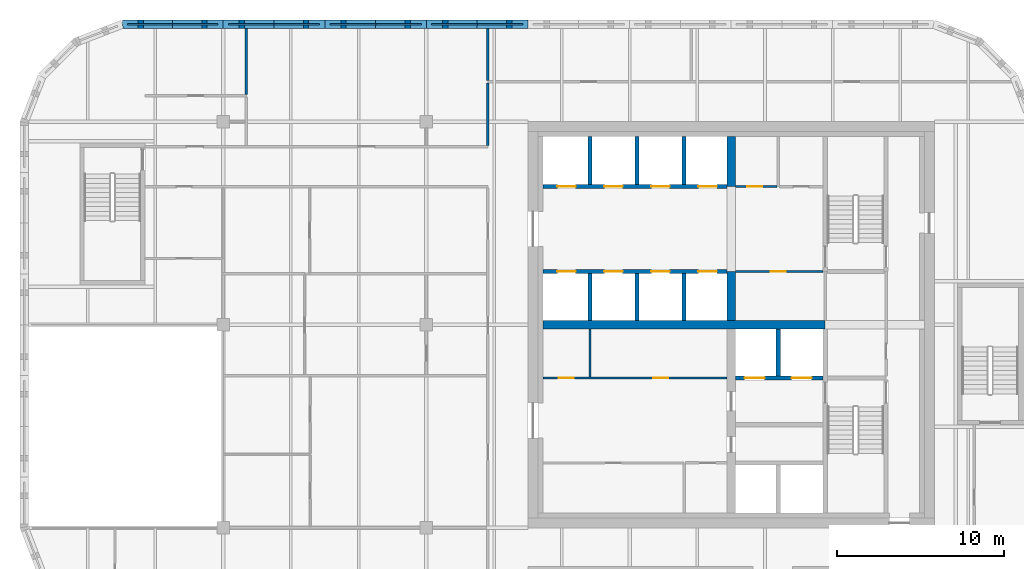
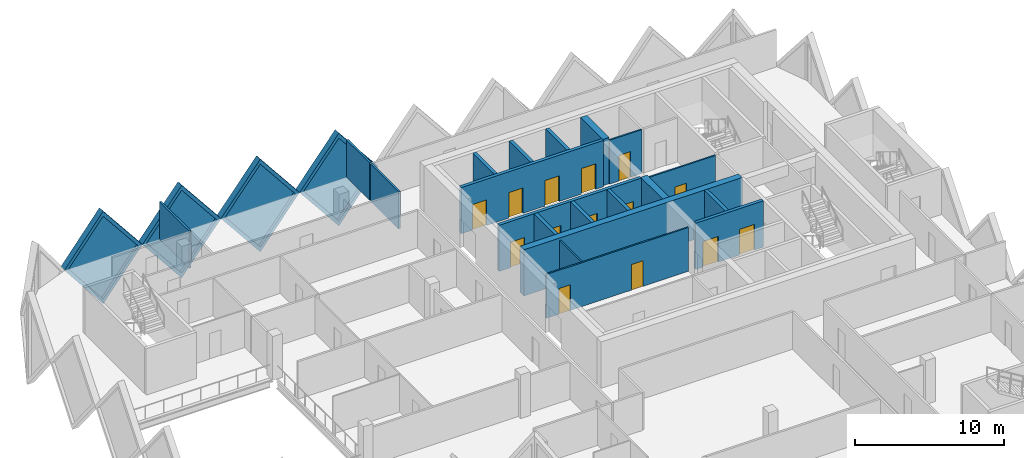
# One storey, part 8 of 12: 24 walls, 14 doors, 4 plates, 18 openings.
"""IFC4 building model written with IfcOpenShell, lengths in metres."""

from ifc_helpers import new_model, si_unit, direction, frame, frame_2d, origin, place, context, subcontext, project, spatial, polyline, rectangle, outline, extrude, faceted_brep, source, transform, mapped, material, layer, layer_set, type_object, element, fill, save


model = new_model("IFC4")

# Units and contexts
model_context = context("Model", 3, precision=1e-05, world=origin(), true_north=direction((0.0, 1.0)))
body_context = subcontext(model_context, "Body", "Model", "MODEL_VIEW")
ifc_project = project(units=[si_unit("LENGTHUNIT", "METRE"), si_unit("AREAUNIT", "SQUARE_METRE"), si_unit("VOLUMEUNIT", "CUBIC_METRE"), si_unit("PLANEANGLEUNIT", "RADIAN"), si_unit("MASSUNIT", "GRAM", prefix="KILO")], contexts=[model_context])

# Site, building, storey
site_placement = place(None, origin())
site = spatial("IfcSite", under=ifc_project, at=site_placement, CompositionType="ELEMENT")
building_placement = place(site_placement, origin())
building = spatial("IfcBuilding", under=site, at=building_placement, Name="Tessera Gate Towers", CompositionType="ELEMENT")
storey_placement = place(building_placement, frame((0.0, 0.0, 182.0)))
storey = spatial("IfcBuildingStorey", under=building, at=storey_placement, Name="L45", CompositionType="ELEMENT", Elevation=182.0)

# Wall, openings, doors
ifc_material_1 = material(Name="Concrete C40/50", Category="concrete")
ifc_layer_1 = layer(ifc_material_1, 0.25)
ifc_layer_set_1 = layer_set([ifc_layer_1], Name="CORE ENCLOSURE WALL 250")
wall_type_1 = type_object("IfcWallType", Name="CORE ENCLOSURE WALL 250", PredefinedType="SOLIDWALL", material=ifc_layer_set_1)
wall_1_placement = place(storey_placement, frame((31.39990234375, 39.800048828125, 0.0), z_axis=(0.0, 0.0, 1.0), x_axis=(1.0, 0.0, 0.0)))
wall_1 = element("IfcWall", 1, at=wall_1_placement, inside=storey, type_object=wall_type_1, Name="L45 shaft and stair enclosure wall", PredefinedType="SOLIDWALL", context=body_context, shape_type="SweptSolid", body=[
    extrude(rectangle(XDim=11.050048828125, YDim=0.25, at=frame_2d((5.52490234375, 0.0))), origin(), (0.0, 0.0, 1.0), 3.800048828125),
])
shared_shape_1 = source(origin(), body_context, "Body", "SweptSolid", [
    extrude(rectangle(XDim=1.10009765625, YDim=2.10009765625, at=frame_2d((0.550048828125, 1.050048828125))), frame((0.0, 0.135009765625, 0.0), z_axis=(0.0, -1.0, 0.0), x_axis=(1.0, 0.0, 0.0)), (0.0, 0.0, 1.0), 0.27001953125),
])
opening_1_placement = place(wall_1_placement, frame((0.862548828125, 0.0, 0.0)))
opening_1 = element("IfcOpeningElement", 2, at=opening_1_placement, cuts=wall_1, Name="Opening LD-HR1", PredefinedType="OPENING", context=body_context, shape_type="MappedRepresentation", body=[
    mapped(shared_shape_1, transform((0.0, 0.0, 0.0), scale=1.0)),
])
opening_2_placement = place(wall_1_placement, frame((3.6875, 0.0, 0.0)))
opening_2 = element("IfcOpeningElement", 3, at=opening_2_placement, cuts=wall_1, Name="Opening LD-HR2", PredefinedType="OPENING", context=body_context, shape_type="MappedRepresentation", body=[
    mapped(shared_shape_1, transform((0.0, 0.0, 0.0), scale=1.0)),
])
opening_3_placement = place(wall_1_placement, frame((6.512451171875, 0.0, 0.0)))
opening_3 = element("IfcOpeningElement", 4, at=opening_3_placement, cuts=wall_1, Name="Opening LD-HR3", PredefinedType="OPENING", context=body_context, shape_type="MappedRepresentation", body=[
    mapped(shared_shape_1, transform((0.0, 0.0, 0.0), scale=1.0)),
])
opening_4_placement = place(wall_1_placement, frame((9.33740234375, 0.0, 0.0)))
opening_4 = element("IfcOpeningElement", 5, at=opening_4_placement, cuts=wall_1, Name="Opening LD-HR4", PredefinedType="OPENING", context=body_context, shape_type="MappedRepresentation", body=[
    mapped(shared_shape_1, transform((0.0, 0.0, 0.0), scale=1.0)),
])
ifc_material_2 = material(Name="Stainless steel", Category="steel")
door_type_1 = type_object("IfcDoorType", Name="CORE DOOR LD 1100x2100", OperationType="DOUBLE_DOOR_SLIDING", PredefinedType="DOOR", material=ifc_material_2)
shared_shape_2 = source(origin(), body_context, "Body", "SweptSolid", [
    extrude(rectangle(XDim=1.10009765625, YDim=2.10009765625, at=frame_2d((0.550048828125, 1.050048828125))), frame((0.0, 0.02490234375, 0.0), z_axis=(0.0, -1.0, 0.0), x_axis=(1.0, 0.0, 0.0)), (0.0, 0.0, 1.0), 0.050048828125),
])
door_1_placement = place(opening_1_placement, origin())
door_1 = element("IfcDoor", 6, at=door_1_placement, inside=storey, type_object=door_type_1, Name="Landing door HR1 L45", OperationType="DOUBLE_DOOR_SLIDING", OverallHeight=2.10009765625, OverallWidth=1.10009765625, PredefinedType="DOOR", context=body_context, shape_type="MappedRepresentation", body=[
    mapped(shared_shape_2, transform((0.0, 0.0, 0.0), scale=1.0)),
])
fill(opening_1, door_1)
door_2_placement = place(opening_2_placement, origin())
door_2 = element("IfcDoor", 7, at=door_2_placement, inside=storey, type_object=door_type_1, Name="Landing door HR2 L45", OperationType="DOUBLE_DOOR_SLIDING", OverallHeight=2.10009765625, OverallWidth=1.10009765625, PredefinedType="DOOR", context=body_context, shape_type="MappedRepresentation", body=[
    mapped(shared_shape_2, transform((0.0, 0.0, 0.0), scale=1.0)),
])
fill(opening_2, door_2)
door_3_placement = place(opening_3_placement, origin())
door_3 = element("IfcDoor", 8, at=door_3_placement, inside=storey, type_object=door_type_1, Name="Landing door HR3 L45", OperationType="DOUBLE_DOOR_SLIDING", OverallHeight=2.10009765625, OverallWidth=1.10009765625, PredefinedType="DOOR", context=body_context, shape_type="MappedRepresentation", body=[
    mapped(shared_shape_2, transform((0.0, 0.0, 0.0), scale=1.0)),
])
fill(opening_3, door_3)
door_4_placement = place(opening_4_placement, origin())
door_4 = element("IfcDoor", 9, at=door_4_placement, inside=storey, type_object=door_type_1, Name="Landing door HR4 L45", OperationType="DOUBLE_DOOR_SLIDING", OverallHeight=2.10009765625, OverallWidth=1.10009765625, PredefinedType="DOOR", context=body_context, shape_type="MappedRepresentation", body=[
    mapped(shared_shape_2, transform((0.0, 0.0, 0.0), scale=1.0)),
])
fill(opening_4, door_4)

wall_2_placement = place(storey_placement, frame((42.449951171875, 44.89990234375, 0.0), z_axis=(0.0, 0.0, 1.0), x_axis=(-1.0, 0.0, 0.0)))
wall_2 = element("IfcWall", 10, at=wall_2_placement, inside=storey, type_object=wall_type_1, Name="L45 shaft and stair enclosure wall", PredefinedType="SOLIDWALL", context=body_context, shape_type="SweptSolid", body=[
    extrude(rectangle(XDim=11.050048828125, YDim=0.25, at=frame_2d((5.52490234375, 0.0))), origin(), (0.0, 0.0, 1.0), 3.800048828125),
])
opening_5_placement = place(wall_2_placement, frame((9.08740234375, 0.0, 0.0)))
opening_5 = element("IfcOpeningElement", 11, at=opening_5_placement, cuts=wall_2, Name="Opening LD-HR5", PredefinedType="OPENING", context=body_context, shape_type="MappedRepresentation", body=[
    mapped(shared_shape_1, transform((0.0, 0.0, 0.0), scale=1.0)),
])
opening_6_placement = place(wall_2_placement, frame((6.262451171875, 0.0, 0.0)))
opening_6 = element("IfcOpeningElement", 12, at=opening_6_placement, cuts=wall_2, Name="Opening LD-HR6", PredefinedType="OPENING", context=body_context, shape_type="MappedRepresentation", body=[
    mapped(shared_shape_1, transform((0.0, 0.0, 0.0), scale=1.0)),
])
opening_7_placement = place(wall_2_placement, frame((3.4375, 0.0, 0.0)))
opening_7 = element("IfcOpeningElement", 13, at=opening_7_placement, cuts=wall_2, Name="Opening LD-HR7", PredefinedType="OPENING", context=body_context, shape_type="MappedRepresentation", body=[
    mapped(shared_shape_1, transform((0.0, 0.0, 0.0), scale=1.0)),
])
opening_8_placement = place(wall_2_placement, frame((0.612548828125, 0.0, 0.0)))
opening_8 = element("IfcOpeningElement", 14, at=opening_8_placement, cuts=wall_2, Name="Opening LD-HR8", PredefinedType="OPENING", context=body_context, shape_type="MappedRepresentation", body=[
    mapped(shared_shape_1, transform((0.0, 0.0, 0.0), scale=1.0)),
])
door_5_placement = place(opening_5_placement, origin())
door_5 = element("IfcDoor", 15, at=door_5_placement, inside=storey, type_object=door_type_1, Name="Landing door HR5 L45", OperationType="DOUBLE_DOOR_SLIDING", OverallHeight=2.10009765625, OverallWidth=1.10009765625, PredefinedType="DOOR", context=body_context, shape_type="MappedRepresentation", body=[
    mapped(shared_shape_2, transform((0.0, 0.0, 0.0), scale=1.0)),
])
fill(opening_5, door_5)
door_6_placement = place(opening_6_placement, origin())
door_6 = element("IfcDoor", 16, at=door_6_placement, inside=storey, type_object=door_type_1, Name="Landing door HR6 L45", OperationType="DOUBLE_DOOR_SLIDING", OverallHeight=2.10009765625, OverallWidth=1.10009765625, PredefinedType="DOOR", context=body_context, shape_type="MappedRepresentation", body=[
    mapped(shared_shape_2, transform((0.0, 0.0, 0.0), scale=1.0)),
])
fill(opening_6, door_6)
door_7_placement = place(opening_7_placement, origin())
door_7 = element("IfcDoor", 17, at=door_7_placement, inside=storey, type_object=door_type_1, Name="Landing door HR7 L45", OperationType="DOUBLE_DOOR_SLIDING", OverallHeight=2.10009765625, OverallWidth=1.10009765625, PredefinedType="DOOR", context=body_context, shape_type="MappedRepresentation", body=[
    mapped(shared_shape_2, transform((0.0, 0.0, 0.0), scale=1.0)),
])
fill(opening_7, door_7)
door_8_placement = place(opening_8_placement, origin())
door_8 = element("IfcDoor", 18, at=door_8_placement, inside=storey, type_object=door_type_1, Name="Landing door HR8 L45", OperationType="DOUBLE_DOOR_SLIDING", OverallHeight=2.10009765625, OverallWidth=1.10009765625, PredefinedType="DOOR", context=body_context, shape_type="MappedRepresentation", body=[
    mapped(shared_shape_2, transform((0.0, 0.0, 0.0), scale=1.0)),
])
fill(opening_8, door_8)

wall_3_placement = place(storey_placement, frame((48.22509765625, 33.39990234375, 0.0), z_axis=(0.0, 0.0, 1.0), x_axis=(-1.0, 0.0, 0.0)))
wall_3 = element("IfcWall", 19, at=wall_3_placement, inside=storey, type_object=wall_type_1, Name="L45 shaft and stair enclosure wall", PredefinedType="SOLIDWALL", context=body_context, shape_type="SweptSolid", body=[
    extrude(rectangle(XDim=5.275146484375, YDim=0.25, at=frame_2d((2.6376953125, 0.0))), origin(), (0.0, 0.0, 1.0), 3.800048828125),
])
shared_shape_3 = source(origin(), body_context, "Body", "SweptSolid", [
    extrude(rectangle(XDim=1.199951171875, YDim=2.10009765625, at=frame_2d((0.60009765625, 1.050048828125))), frame((0.0, 0.135009765625, 0.0), z_axis=(0.0, -1.0, 0.0), x_axis=(1.0, 0.0, 0.0)), (0.0, 0.0, 1.0), 0.27001953125),
])
opening_9_placement = place(wall_3_placement, frame((3.512451171875, 0.0, 0.0)))
opening_9 = element("IfcOpeningElement", 20, at=opening_9_placement, cuts=wall_3, Name="Opening LD-FF1", PredefinedType="OPENING", context=body_context, shape_type="MappedRepresentation", body=[
    mapped(shared_shape_3, transform((0.0, 0.0, 0.0), scale=1.0)),
])
opening_10_placement = place(wall_3_placement, frame((0.6875, 0.0, 0.0)))
opening_10 = element("IfcOpeningElement", 21, at=opening_10_placement, cuts=wall_3, Name="Opening LD-FF2", PredefinedType="OPENING", context=body_context, shape_type="MappedRepresentation", body=[
    mapped(shared_shape_3, transform((0.0, 0.0, 0.0), scale=1.0)),
])
ifc_material_3 = material(Name="Stainless steel", Category="steel")
door_type_2 = type_object("IfcDoorType", Name="CORE DOOR LD1200 1200x2100", OperationType="DOUBLE_DOOR_SLIDING", PredefinedType="DOOR", material=ifc_material_3)
shared_shape_4 = source(origin(), body_context, "Body", "SweptSolid", [
    extrude(rectangle(XDim=1.199951171875, YDim=2.10009765625, at=frame_2d((0.60009765625, 1.050048828125))), frame((0.0, 0.02490234375, 0.0), z_axis=(0.0, -1.0, 0.0), x_axis=(1.0, 0.0, 0.0)), (0.0, 0.0, 1.0), 0.050048828125),
])
door_9_placement = place(opening_9_placement, origin())
door_9 = element("IfcDoor", 22, at=door_9_placement, inside=storey, type_object=door_type_2, Name="Landing door FF1 L45", OperationType="DOUBLE_DOOR_SLIDING", OverallHeight=2.10009765625, OverallWidth=1.199951171875, PredefinedType="DOOR", context=body_context, shape_type="MappedRepresentation", body=[
    mapped(shared_shape_4, transform((0.0, 0.0, 0.0), scale=1.0)),
])
fill(opening_9, door_9)
door_10_placement = place(opening_10_placement, origin())
door_10 = element("IfcDoor", 23, at=door_10_placement, inside=storey, type_object=door_type_2, Name="Landing door FF2 L45", OperationType="DOUBLE_DOOR_SLIDING", OverallHeight=2.10009765625, OverallWidth=1.199951171875, PredefinedType="DOOR", context=body_context, shape_type="MappedRepresentation", body=[
    mapped(shared_shape_4, transform((0.0, 0.0, 0.0), scale=1.0)),
])
fill(opening_10, door_10)

# Walls
for number, where, z_axis, x_axis, name in (
    (24, (34.22509765625, 36.85009765625, 0.0), (0.0, 0.0, 1.0), (0.0, 1.0, 0.0), "L45 shaft and stair enclosure wall"),
    (25, (37.050048828125, 36.85009765625, 0.0), (0.0, 0.0, 1.0), (0.0, 1.0, 0.0), "L45 shaft and stair enclosure wall"),
    (26, (39.875, 36.85009765625, 0.0), (0.0, 0.0, 1.0), (0.0, 1.0, 0.0), "L45 shaft and stair enclosure wall"),
):
    element("IfcWall", number, at=place(storey_placement, frame(where, z_axis=z_axis, x_axis=x_axis)), inside=storey, type_object=wall_type_1, Name=name, PredefinedType="SOLIDWALL", context=body_context, shape_type="SweptSolid", body=[
        extrude(rectangle(XDim=2.824951171875, YDim=0.25, at=frame_2d((1.41259765625, 0.0))), origin(), (0.0, 0.0, 1.0), 3.800048828125),
    ])
wall_4_placement = place(storey_placement, frame((45.52490234375, 33.52490234375, 0.0), z_axis=(0.0, 0.0, 1.0), x_axis=(0.0, 1.0, 0.0)))
element("IfcWall", 27, at=wall_4_placement, inside=storey, type_object=wall_type_1, Name="L45 shaft and stair enclosure wall", PredefinedType="SOLIDWALL", context=body_context, shape_type="SweptSolid", body=[
    extrude(rectangle(XDim=2.8251953125, YDim=0.25, at=frame_2d((1.41259765625, 0.0))), origin(), (0.0, 0.0, 1.0), 3.800048828125),
])
for number, where, z_axis, x_axis, name in (
    (28, (34.22509765625, 45.02490234375, 0.0), (0.0, 0.0, 1.0), (0.0, 1.0, 0.0), "L45 shaft and stair enclosure wall"),
    (29, (37.050048828125, 45.02490234375, 0.0), (0.0, 0.0, 1.0), (0.0, 1.0, 0.0), "L45 shaft and stair enclosure wall"),
    (30, (39.875, 45.02490234375, 0.0), (0.0, 0.0, 1.0), (0.0, 1.0, 0.0), "L45 shaft and stair enclosure wall"),
):
    element("IfcWall", number, at=place(storey_placement, frame(where, z_axis=z_axis, x_axis=x_axis)), inside=storey, type_object=wall_type_1, Name=name, PredefinedType="SOLIDWALL", context=body_context, shape_type="SweptSolid", body=[
        extrude(rectangle(XDim=2.875, YDim=0.25, at=frame_2d((1.4375, 0.0))), origin(), (0.0, 0.0, 1.0), 3.800048828125),
    ])

# Wall, openings, doors
ifc_material_4 = material(Name="Gypsum board on steel studs", Category="steel")
ifc_layer_2 = layer(ifc_material_4, 0.1201171875)
ifc_layer_set_2 = layer_set([ifc_layer_2], Name="CORE PARTITION 120")
wall_type_2 = type_object("IfcWallType", Name="CORE PARTITION 120", PredefinedType="PARTITIONING", material=ifc_layer_set_2)
wall_5_placement = place(storey_placement, frame((31.39990234375, 33.39990234375, 0.0), z_axis=(0.0, 0.0, 1.0), x_axis=(1.0, 0.0, 0.0)))
wall_5 = element("IfcWall", 31, at=wall_5_placement, inside=storey, type_object=wall_type_2, Name="L45 core partition", PredefinedType="PARTITIONING", context=body_context, shape_type="SweptSolid", body=[
    extrude(rectangle(XDim=11.050048828125, YDim=0.1201171875, at=frame_2d((5.52490234375, 0.0))), origin(), (0.0, 0.0, 1.0), 3.60009765625),
])
shared_shape_5 = source(origin(), body_context, "Body", "SweptSolid", [
    extrude(rectangle(XDim=0.89990234375, YDim=2.10009765625, at=frame_2d((0.449951171875, 1.050048828125))), frame((0.0, 0.070068359375, 0.0), z_axis=(0.0, -1.0, 0.0), x_axis=(1.0, 0.0, 0.0)), (0.0, 0.0, 1.0), 0.14013671875),
])
opening_11_placement = place(wall_5_placement, frame((0.96240234375, 0.0, 0.0)))
opening_11 = element("IfcOpeningElement", 32, at=opening_11_placement, cuts=wall_5, Name="Opening RD-T1-28-07", PredefinedType="OPENING", context=body_context, shape_type="MappedRepresentation", body=[
    mapped(shared_shape_5, transform((0.0, 0.0, 0.0), scale=1.0)),
])
opening_12_placement = place(wall_5_placement, frame((6.612548828125, 0.0, 0.0)))
opening_12 = element("IfcOpeningElement", 33, at=opening_12_placement, cuts=wall_5, Name="Opening RD-T1-28-08", PredefinedType="OPENING", context=body_context, shape_type="MappedRepresentation", body=[
    mapped(shared_shape_5, transform((0.0, 0.0, 0.0), scale=1.0)),
])
ifc_material_5 = material(Name="Hollow steel fire door", Category="steel")
door_type_3 = type_object("IfcDoorType", Name="CORE DOOR RD 900x2100", OperationType="NOTDEFINED", PredefinedType="DOOR", material=ifc_material_5)
shared_shape_6 = source(origin(), body_context, "Body", "SweptSolid", [
    extrude(rectangle(XDim=0.89990234375, YDim=2.10009765625, at=frame_2d((0.449951171875, 1.050048828125))), frame((0.0, 0.02490234375, 0.0), z_axis=(0.0, -1.0, 0.0), x_axis=(1.0, 0.0, 0.0)), (0.0, 0.0, 1.0), 0.050048828125),
])
door_11_placement = place(opening_11_placement, origin())
door_11 = element("IfcDoor", 34, at=door_11_placement, inside=storey, type_object=door_type_3, Name="Core room door", OperationType="SINGLE_SWING_LEFT", OverallHeight=2.10009765625, OverallWidth=0.89990234375, PredefinedType="DOOR", context=body_context, shape_type="MappedRepresentation", body=[
    mapped(shared_shape_6, transform((0.0, 0.0, 0.0), scale=1.0)),
])
fill(opening_11, door_11)
door_12_placement = place(opening_12_placement, origin())
door_12 = element("IfcDoor", 35, at=door_12_placement, inside=storey, type_object=door_type_3, Name="Core room door", OperationType="SINGLE_SWING_RIGHT", OverallHeight=2.10009765625, OverallWidth=0.89990234375, PredefinedType="DOOR", context=body_context, shape_type="MappedRepresentation", body=[
    mapped(shared_shape_6, transform((0.0, 0.0, 0.0), scale=1.0)),
])
fill(opening_12, door_12)

# Wall, opening, door
wall_6_placement = place(storey_placement, frame((48.22509765625, 39.800048828125, 0.0), z_axis=(0.0, 0.0, 1.0), x_axis=(-1.0, 0.0, 0.0)))
wall_6 = element("IfcWall", 36, at=wall_6_placement, inside=storey, type_object=wall_type_2, Name="L45 core partition", PredefinedType="PARTITIONING", context=body_context, shape_type="SweptSolid", body=[
    extrude(rectangle(XDim=5.275146484375, YDim=0.1201171875, at=frame_2d((2.6376953125, 0.0))), origin(), (0.0, 0.0, 1.0), 3.60009765625),
])
opening_13_placement = place(wall_6_placement, frame((2.25, 0.0, 0.0)))
opening_13 = element("IfcOpeningElement", 37, at=opening_13_placement, cuts=wall_6, Name="Opening RD-T1-28-11", PredefinedType="OPENING", context=body_context, shape_type="MappedRepresentation", body=[
    mapped(shared_shape_5, transform((0.0, 0.0, 0.0), scale=1.0)),
])
door_13_placement = place(opening_13_placement, origin())
door_13 = element("IfcDoor", 38, at=door_13_placement, inside=storey, type_object=door_type_3, Name="Core room door", OperationType="SINGLE_SWING_RIGHT", OverallHeight=2.10009765625, OverallWidth=0.89990234375, PredefinedType="DOOR", context=body_context, shape_type="MappedRepresentation", body=[
    mapped(shared_shape_6, transform((0.0, 0.0, 0.0), scale=1.0)),
])
fill(opening_13, door_13)

# Wall
wall_7_placement = place(storey_placement, frame((34.22509765625, 33.4599609375, 0.0), z_axis=(0.0, 0.0, 1.0), x_axis=(0.0, 1.0, 0.0)))
element("IfcWall", 39, at=wall_7_placement, inside=storey, type_object=wall_type_2, Name="L45 core partition", PredefinedType="PARTITIONING", context=body_context, shape_type="SweptSolid", body=[
    extrude(rectangle(XDim=2.89013671875, YDim=0.1201171875, at=frame_2d((1.445068359375, 0.0))), origin(), (0.0, 0.0, 1.0), 3.60009765625),
])

# Wall, opening, door
wall_8_placement = place(storey_placement, frame((42.949951171875, 44.89990234375, 0.0), z_axis=(0.0, 0.0, 1.0), x_axis=(1.0, 0.0, 0.0)))
wall_8 = element("IfcWall", 40, at=wall_8_placement, inside=storey, type_object=wall_type_2, Name="L45 core partition", PredefinedType="PARTITIONING", context=body_context, shape_type="SweptSolid", body=[
    extrude(rectangle(XDim=2.5, YDim=0.1201171875, at=frame_2d((1.25, 0.0))), origin(), (0.0, 0.0, 1.0), 3.60009765625),
])
opening_14_placement = place(wall_8_placement, frame((0.71240234375, 0.0, 0.0)))
opening_14 = element("IfcOpeningElement", 41, at=opening_14_placement, cuts=wall_8, Name="Opening RD-T1-28-12", PredefinedType="OPENING", context=body_context, shape_type="MappedRepresentation", body=[
    mapped(shared_shape_5, transform((0.0, 0.0, 0.0), scale=1.0)),
])
door_14_placement = place(opening_14_placement, origin())
door_14 = element("IfcDoor", 42, at=door_14_placement, inside=storey, type_object=door_type_3, Name="Core room door", OperationType="SINGLE_SWING_LEFT", OverallHeight=2.10009765625, OverallWidth=0.89990234375, PredefinedType="DOOR", context=body_context, shape_type="MappedRepresentation", body=[
    mapped(shared_shape_6, transform((0.0, 0.0, 0.0), scale=1.0)),
])
fill(opening_14, door_14)

# Walls
ifc_material_6 = material(Name="Concrete C50/60", Category="concrete")
ifc_layer_3 = layer(ifc_material_6, 0.5)
ifc_layer_set_3 = layer_set([ifc_layer_3], Name="CORE SPINE WALL 500 C50/60")
wall_type_3 = type_object("IfcWallType", Name="CORE SPINE WALL 500 C50/60", PredefinedType="SHEAR", material=ifc_layer_set_3)
wall_9_placement = place(storey_placement, frame((31.39990234375, 36.60009765625, 0.0), z_axis=(0.0, 0.0, 1.0), x_axis=(1.0, 0.0, 0.0)))
element("IfcWall", 43, at=wall_9_placement, inside=storey, type_object=wall_type_3, Name="Core wall spine L45", PredefinedType="SHEAR", context=body_context, shape_type="SweptSolid", body=[
    extrude(rectangle(XDim=16.9501953125, YDim=0.5, at=frame_2d((8.47509765625, 0.0))), origin(), (0.0, 0.0, 1.0), 3.800048828125),
])
wall_10_placement = place(storey_placement, frame((42.699951171875, 36.85009765625, 0.0), z_axis=(0.0, 0.0, 1.0), x_axis=(0.0, 1.0, 0.0)))
element("IfcWall", 44, at=wall_10_placement, inside=storey, type_object=wall_type_3, Name="Core wall spine L45", PredefinedType="SHEAR", context=body_context, shape_type="SweptSolid", body=[
    extrude(rectangle(XDim=2.949951171875, YDim=0.5, at=frame_2d((1.47509765625, 0.0))), origin(), (0.0, 0.0, 1.0), 3.800048828125),
])
wall_11_placement = place(storey_placement, frame((42.699951171875, 44.89990234375, 0.0), z_axis=(0.0, 0.0, 1.0), x_axis=(0.0, 1.0, 0.0)))
element("IfcWall", 45, at=wall_11_placement, inside=storey, type_object=wall_type_3, Name="Core wall spine L45", PredefinedType="SHEAR", context=body_context, shape_type="SweptSolid", body=[
    extrude(rectangle(XDim=3.0, YDim=0.5, at=frame_2d((1.5, 0.0))), origin(), (0.0, 0.0, 1.0), 3.800048828125),
])
ifc_material_7 = material(Name="Gypsum board on steel studs, mineral wool", Category="steel")
ifc_layer_4 = layer(ifc_material_7, 0.14990234375)
ifc_layer_set_4 = layer_set([ifc_layer_4], Name="CORRIDOR WALL 150")
wall_type_4 = type_object("IfcWallType", Name="CORRIDOR WALL 150", PredefinedType="PARTITIONING", material=ifc_layer_set_4)
wall_12_placement = place(storey_placement, frame((28.10009765625, 47.3759765625, 0.0), z_axis=(0.0, 0.0, 1.0), x_axis=(0.0, 1.0, 0.0)))
element("IfcWall", 46, at=wall_12_placement, inside=storey, type_object=wall_type_4, Name="T1-L45-PW-044", PredefinedType="PARTITIONING", context=body_context, shape_type="SweptSolid", body=[
    extrude(rectangle(XDim=3.748046875, YDim=0.14990234375, at=frame_2d((1.8740234375, 0.0))), origin(), (0.0, 0.0, 1.0), 3.06689453125),
])
ifc_material_8 = material(Name="Gypsum board on steel studs, mineral wool", Category="steel")
ifc_layer_5 = layer(ifc_material_8, 0.14990234375)
ifc_layer_set_5 = layer_set([ifc_layer_5], Name="TENANCY WALL 150")
wall_type_5 = type_object("IfcWallType", Name="TENANCY WALL 150", PredefinedType="PARTITIONING", material=ifc_layer_set_5)
wall_13_placement = place(storey_placement, frame((13.60009765625, 50.426025390625, 0.0), z_axis=(0.0, 0.0, 1.0), x_axis=(0.0, 1.0, 0.0)))
element("IfcWall", 47, at=wall_13_placement, inside=storey, type_object=wall_type_5, Name="T1-L45-PW-048", PredefinedType="PARTITIONING", context=body_context, shape_type="SweptSolid", body=[
    extrude(rectangle(XDim=3.973876953125, YDim=0.14990234375, at=frame_2d((1.98681640625, 0.0))), origin(), (0.0, 0.0, 1.0), 3.06689453125),
])
wall_14_placement = place(storey_placement, frame((28.10009765625, 51.27587890625, 0.0), z_axis=(0.0, 0.0, 1.0), x_axis=(0.0, 1.0, 0.0)))
element("IfcWall", 48, at=wall_14_placement, inside=storey, type_object=wall_type_5, Name="T1-L45-PW-050", PredefinedType="PARTITIONING", context=body_context, shape_type="SweptSolid", body=[
    extrude(rectangle(XDim=3.1240234375, YDim=0.14990234375, at=frame_2d((1.56201171875, 0.0))), origin(), (0.0, 0.0, 1.0), 3.06689453125),
])

# Wall, opening, plate
ifc_material_9 = material(Name="Precast concrete C60/75 white", Category="concrete")
ifc_layer_6 = layer(ifc_material_9, 0.5)
ifc_layer_set_6 = layer_set([ifc_layer_6], Name="TS1 tessera")
wall_type_6 = type_object("IfcWallType", Name="TS1 tessera", PredefinedType="SOLIDWALL", material=ifc_layer_set_6)
shared_shape_7 = source(origin(), body_context, "Body", "Brep", [
    faceted_brep([(3.050048828125, -0.25, 0.0), (6.099853515625, -0.25, 3.7998046875), (6.099853515625, -0.25, 3.80029296875), (3.050048828125, -0.25, 7.60009765625), (0.0, -0.25, 3.800048828125), (0.0, 0.25, 3.800048828125), (3.050048828125, 0.25, 7.60009765625), (6.099853515625, 0.25, 3.80029296875), (6.099853515625, 0.25, 3.7998046875), (3.050048828125, 0.25, 0.0)], [[[0, 1, 2, 3, 4]], [[5, 6, 7, 8, 9]], [[9, 8, 1, 0]], [[7, 6, 3, 2]], [[6, 5, 4, 3]], [[5, 9, 0, 4]], [[1, 8, 7, 2]]]),
])
wall_15_placement = place(storey_placement, frame((24.39990234375, 54.64990234375, -3.800048828125), z_axis=(0.0, 0.0, 1.0), x_axis=(-1.0, 0.0, 0.0)))
wall_15 = element("IfcWall", 49, at=wall_15_placement, inside=storey, type_object=wall_type_6, Name="Precast tessera T1 TS1-0797", PredefinedType="SOLIDWALL", context=body_context, shape_type="MappedRepresentation", body=[
    mapped(shared_shape_7, transform((0.0, 0.0, 0.0), scale=1.0)),
])
shared_shape_8 = source(origin(), body_context, "Body", "SweptSolid", [
    extrude(outline(polyline([(3.050048828125, 0.3994140625), (5.779541015625, 3.800048828125), (3.050048828125, 7.20068359375), (0.320556640625, 3.800048828125), (3.050048828125, 0.3994140625)])), frame((0.0, 0.260009765625, 0.0), z_axis=(0.0, -1.0, 0.0), x_axis=(1.0, 0.0, 0.0)), (0.0, 0.0, 1.0), 0.52001953125),
])
opening_15_placement = place(wall_15_placement, origin())
opening_15 = element("IfcOpeningElement", 50, at=opening_15_placement, cuts=wall_15, Name="Opening T1-PL2-1621", PredefinedType="OPENING", context=body_context, shape_type="MappedRepresentation", body=[
    mapped(shared_shape_8, transform((0.0, 0.0, 0.0), scale=1.0)),
])
ifc_material_10 = material(Name="Low-e laminated glass", Category="glass")
ifc_layer_7 = layer(ifc_material_10, 0.06005859375)
ifc_layer_set_7 = layer_set([ifc_layer_7], Name="PL2 rhombic pane")
plate_type = type_object("IfcPlateType", Name="PL2 rhombic pane", PredefinedType="SHEET", material=ifc_layer_set_7)
shared_shape_9 = source(origin(), body_context, "Body", "SweptSolid", [
    extrude(outline(polyline([(3.050048828125, 0.3994140625), (5.779541015625, 3.800048828125), (3.050048828125, 7.20068359375), (0.320556640625, 3.800048828125), (3.050048828125, 0.3994140625)])), frame((0.0, 0.030029296875, 0.0), z_axis=(0.0, -1.0, 0.0), x_axis=(1.0, 0.0, 0.0)), (0.0, 0.0, 1.0), 0.06005859375),
])
plate_1_placement = place(opening_15_placement, origin())
plate_1 = element("IfcPlate", 51, at=plate_1_placement, inside=storey, type_object=plate_type, Name="Glass pane T1 PL2-1621", PredefinedType="SHEET", context=body_context, shape_type="MappedRepresentation", body=[
    mapped(shared_shape_9, transform((0.0, 0.0, 0.0), scale=1.0)),
])
fill(opening_15, plate_1)

shared_shape_10 = source(origin(), body_context, "Body", "SweptSolid", [
    extrude(outline(polyline([(3.050048828125, 0.0), (6.10009765625, 3.800048828125), (3.050048828125, 7.60009765625), (0.0, 3.800048828125), (3.050048828125, 0.0)])), frame((0.0, 0.25, 0.0), z_axis=(0.0, -1.0, 0.0), x_axis=(1.0, 0.0, 0.0)), (0.0, 0.0, 1.0), 0.5),
])
wall_16_placement = place(storey_placement, frame((30.5, 54.64990234375, -3.800048828125), z_axis=(0.0, 0.0, 1.0), x_axis=(-1.0, 0.0, 0.0)))
wall_16 = element("IfcWall", 52, at=wall_16_placement, inside=storey, type_object=wall_type_6, Name="Precast tessera T1 TS1-0796", PredefinedType="SOLIDWALL", context=body_context, shape_type="MappedRepresentation", body=[
    mapped(shared_shape_10, transform((0.0, 0.0, 0.0), scale=1.0)),
])
opening_16_placement = place(wall_16_placement, origin())
opening_16 = element("IfcOpeningElement", 53, at=opening_16_placement, cuts=wall_16, Name="Opening T1-PL2-1620", PredefinedType="OPENING", context=body_context, shape_type="MappedRepresentation", body=[
    mapped(shared_shape_8, transform((0.0, 0.0, 0.0), scale=1.0)),
])
plate_2_placement = place(opening_16_placement, origin())
plate_2 = element("IfcPlate", 54, at=plate_2_placement, inside=storey, type_object=plate_type, Name="Glass pane T1 PL2-1620", PredefinedType="SHEET", context=body_context, shape_type="MappedRepresentation", body=[
    mapped(shared_shape_9, transform((0.0, 0.0, 0.0), scale=1.0)),
])
fill(opening_16, plate_2)

wall_17_placement = place(storey_placement, frame((18.300048828125, 54.64990234375, -3.800048828125), z_axis=(0.0, 0.0, 1.0), x_axis=(-1.0, 0.0, 0.0)))
wall_17 = element("IfcWall", 55, at=wall_17_placement, inside=storey, type_object=wall_type_6, Name="Precast tessera T1 TS1-0798", PredefinedType="SOLIDWALL", context=body_context, shape_type="MappedRepresentation", body=[
    mapped(shared_shape_10, transform((0.0, 0.0, 0.0), scale=1.0)),
])
opening_17_placement = place(wall_17_placement, origin())
opening_17 = element("IfcOpeningElement", 56, at=opening_17_placement, cuts=wall_17, Name="Opening T1-PL2-1622", PredefinedType="OPENING", context=body_context, shape_type="MappedRepresentation", body=[
    mapped(shared_shape_8, transform((0.0, 0.0, 0.0), scale=1.0)),
])
plate_3_placement = place(opening_17_placement, origin())
plate_3 = element("IfcPlate", 57, at=plate_3_placement, inside=storey, type_object=plate_type, Name="Glass pane T1 PL2-1622", PredefinedType="SHEET", context=body_context, shape_type="MappedRepresentation", body=[
    mapped(shared_shape_9, transform((0.0, 0.0, 0.0), scale=1.0)),
])
fill(opening_17, plate_3)

shared_shape_11 = source(origin(), body_context, "Body", "Brep", [
    faceted_brep([(3.050048828125, -0.25, 0.0), (6.053466796875, -0.25, 3.800048828125), (3.050048828125, -0.25, 7.60009765625), (0.0, -0.25, 3.800048828125), (0.0, 0.25, 3.800048828125), (3.050048828125, 0.25, 7.60009765625), (6.0068359375, 0.25, 3.85888671875), (6.0068359375, 0.25, 3.7412109375), (3.050048828125, 0.25, 0.0), (6.053466796875, 0.0, 3.800048828125)], [[[0, 1, 2, 3]], [[4, 5, 6, 7, 8]], [[8, 7, 9, 1, 0]], [[6, 5, 2, 1, 9]], [[5, 4, 3, 2]], [[4, 8, 0, 3]], [[9, 7, 6]]]),
])
wall_18_placement = place(storey_placement, frame((12.199951171875, 54.64990234375, -3.800048828125), z_axis=(0.0, 0.0, 1.0), x_axis=(-1.0, 0.0, 0.0)))
wall_18 = element("IfcWall", 58, at=wall_18_placement, inside=storey, type_object=wall_type_6, Name="Precast tessera T1 TS1-0799", PredefinedType="SOLIDWALL", context=body_context, shape_type="MappedRepresentation", body=[
    mapped(shared_shape_11, transform((0.0, 0.0, 0.0), scale=1.0)),
])
shared_shape_12 = source(origin(), body_context, "Body", "SweptSolid", [
    extrude(outline(polyline([(3.048583984375, 0.4013671875), (5.73486328125, 3.800048828125), (3.048583984375, 7.19873046875), (0.320556640625, 3.800048828125), (3.048583984375, 0.4013671875)])), frame((0.0, 0.260009765625, 0.0), z_axis=(0.0, -1.0, 0.0), x_axis=(1.0, 0.0, 0.0)), (0.0, 0.0, 1.0), 0.52001953125),
])
opening_18_placement = place(wall_18_placement, origin())
opening_18 = element("IfcOpeningElement", 59, at=opening_18_placement, cuts=wall_18, Name="Opening T1-PL2-1623", PredefinedType="OPENING", context=body_context, shape_type="MappedRepresentation", body=[
    mapped(shared_shape_12, transform((0.0, 0.0, 0.0), scale=1.0)),
])
shared_shape_13 = source(origin(), body_context, "Body", "SweptSolid", [
    extrude(outline(polyline([(3.048583984375, 0.4013671875), (5.73486328125, 3.800048828125), (3.048583984375, 7.19873046875), (0.320556640625, 3.800048828125), (3.048583984375, 0.4013671875)])), frame((0.0, 0.030029296875, 0.0), z_axis=(0.0, -1.0, 0.0), x_axis=(1.0, 0.0, 0.0)), (0.0, 0.0, 1.0), 0.06005859375),
])
plate_4_placement = place(opening_18_placement, origin())
plate_4 = element("IfcPlate", 60, at=plate_4_placement, inside=storey, type_object=plate_type, Name="Glass pane T1 PL2-1623", PredefinedType="SHEET", context=body_context, shape_type="MappedRepresentation", body=[
    mapped(shared_shape_13, transform((0.0, 0.0, 0.0), scale=1.0)),
])
fill(opening_18, plate_4)

save(model, "model.ifc")
